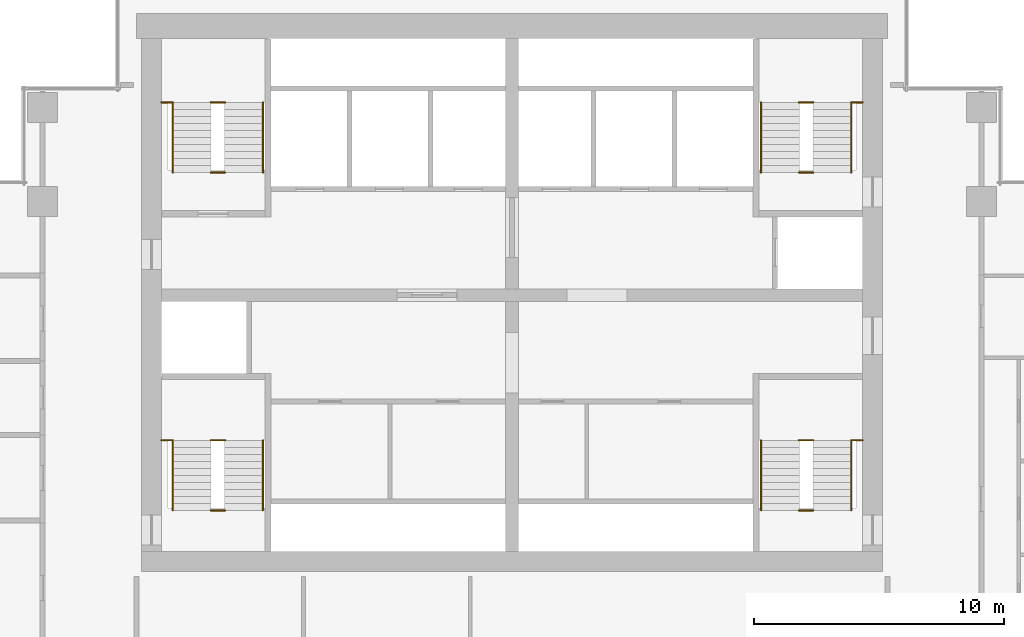
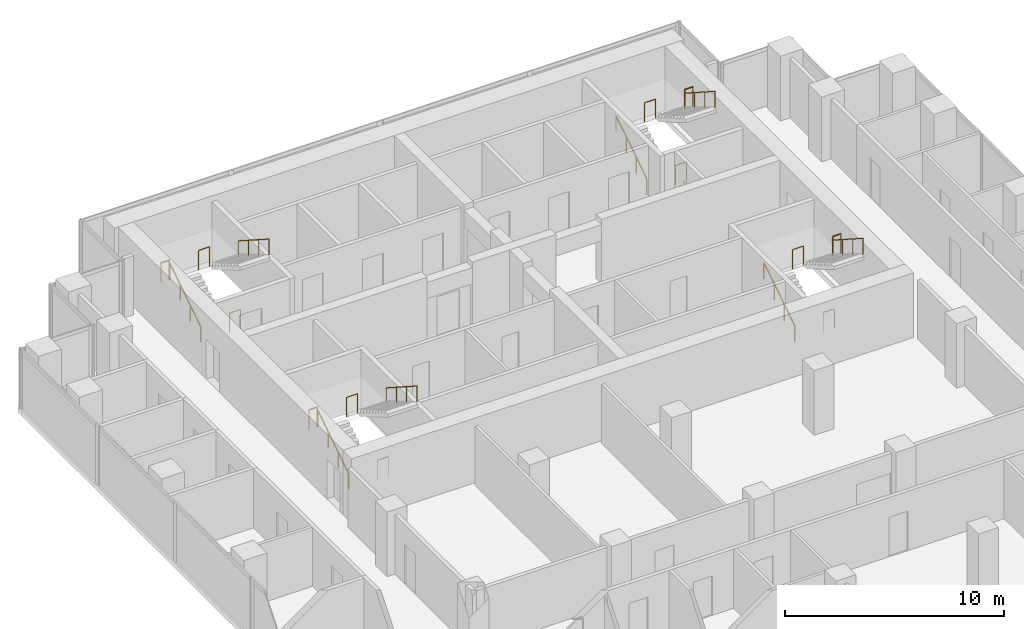
# One storey, part 11 of 11: 20 railings.
"""IFC4 building model written with IfcOpenShell, lengths in metres."""

from ifc_helpers import new_model, si_unit, direction, frame, origin, origin_2d, place, context, subcontext, project, spatial, circle, extrude, material, type_object, element, save


model = new_model("IFC4")

# Units and contexts
model_context = context("Model", 3, precision=1e-05, world=origin(), true_north=direction((0.0, 1.0)))
body_context = subcontext(model_context, "Body", "Model", "MODEL_VIEW")
ifc_project = project(units=[si_unit("LENGTHUNIT", "METRE"), si_unit("AREAUNIT", "SQUARE_METRE"), si_unit("VOLUMEUNIT", "CUBIC_METRE"), si_unit("PLANEANGLEUNIT", "RADIAN"), si_unit("MASSUNIT", "GRAM", prefix="KILO")], contexts=[model_context])

# Site, building, storey
site_placement = place(None, origin())
site = spatial("IfcSite", under=ifc_project, at=site_placement, CompositionType="ELEMENT")
building_placement = place(site_placement, origin())
building = spatial("IfcBuilding", under=site, at=building_placement, Name="Pilkhan Gate Tower", CompositionType="ELEMENT")
storey_placement = place(building_placement, frame((0.0, 0.0, 151.300048828125)))
storey = spatial("IfcBuildingStorey", under=building, at=storey_placement, Name="L38", CompositionType="ELEMENT", Elevation=151.300048828125)

# Railings
ifc_material_1 = material(Name="Black powder-coated steel tube", Category="steel")
railing_type_1 = type_object("IfcRailingType", Name="Stair handrail HR1", PredefinedType="HANDRAIL", material=ifc_material_1)
railing_1_placement = place(storey_placement, frame((84.949951171875, 73.89990234375, 0.0)))
element("IfcRailing", 1, at=railing_1_placement, inside=storey, type_object=railing_type_1, Name="Stair ST1 handrail L38", PredefinedType="HANDRAIL", context=body_context, shape_type="SweptSolid", body=[
    extrude(circle(Radius=0.02392578125, at=origin_2d()), frame((0.0, 0.0, 0.8759765625), z_axis=(0.0, 0.841176092368, 0.540761298198), x_axis=(-1.0, 0.0, 0.0)), (0.0, 0.0, 1.0), 3.32861328125),
    extrude(circle(Radius=0.02099609375, at=origin_2d()), origin(), (0.0, 0.0, 1.0), 0.851806640625),
    extrude(circle(Radius=0.02099609375, at=origin_2d()), frame((0.0, 0.933349609375, 0.60009765625)), (0.0, 0.0, 1.0), 0.851806640625),
    extrude(circle(Radius=0.02099609375, at=origin_2d()), frame((0.0, 1.86669921875, 1.199951171875)), (0.0, 0.0, 1.0), 0.851806640625),
    extrude(circle(Radius=0.02099609375, at=origin_2d()), frame((0.0, 2.800048828125, 1.800048828125)), (0.0, 0.0, 1.0), 0.851806640625),
])
railing_2_placement = place(storey_placement, frame((88.550048828125, 76.699951171875, 1.800048828125)))
element("IfcRailing", 2, at=railing_2_placement, inside=storey, type_object=railing_type_1, Name="Stair ST1 handrail L38", PredefinedType="HANDRAIL", context=body_context, shape_type="SweptSolid", body=[
    extrude(circle(Radius=0.02392578125, at=origin_2d()), frame((0.0, 0.0, 0.8759765625), z_axis=(0.0, -0.841209454229, 0.540709398952), x_axis=(1.0, 0.0, 0.0)), (0.0, 0.0, 1.0), 3.32861328125),
    extrude(circle(Radius=0.02099609375, at=origin_2d()), origin(), (0.0, 0.0, 1.0), 0.851806640625),
    extrude(circle(Radius=0.02099609375, at=origin_2d()), frame((0.0, -0.933349609375, 0.599853515625)), (0.0, 0.0, 1.0), 0.851806640625),
    extrude(circle(Radius=0.02099609375, at=origin_2d()), frame((0.0, -1.86669921875, 1.199951171875)), (0.0, 0.0, 1.0), 0.851806640625),
    extrude(circle(Radius=0.02099609375, at=origin_2d()), frame((0.0, -2.800048828125, 1.7998046875)), (0.0, 0.0, 1.0), 0.851806640625),
])
railing_3_placement = place(storey_placement, frame((61.449951171875, 73.89990234375, 0.0)))
element("IfcRailing", 3, at=railing_3_placement, inside=storey, type_object=railing_type_1, Name="Stair ST2 handrail L38", PredefinedType="HANDRAIL", context=body_context, shape_type="SweptSolid", body=[
    extrude(circle(Radius=0.02392578125, at=origin_2d()), frame((0.0, 0.0, 0.8759765625), z_axis=(0.0, 0.841176092368, 0.540761298198), x_axis=(-1.0, 0.0, 0.0)), (0.0, 0.0, 1.0), 3.32861328125),
    extrude(circle(Radius=0.02099609375, at=origin_2d()), origin(), (0.0, 0.0, 1.0), 0.851806640625),
    extrude(circle(Radius=0.02099609375, at=origin_2d()), frame((0.0, 0.933349609375, 0.60009765625)), (0.0, 0.0, 1.0), 0.851806640625),
    extrude(circle(Radius=0.02099609375, at=origin_2d()), frame((0.0, 1.86669921875, 1.199951171875)), (0.0, 0.0, 1.0), 0.851806640625),
    extrude(circle(Radius=0.02099609375, at=origin_2d()), frame((0.0, 2.800048828125, 1.800048828125)), (0.0, 0.0, 1.0), 0.851806640625),
])
railing_4_placement = place(storey_placement, frame((65.050048828125, 76.699951171875, 1.800048828125)))
element("IfcRailing", 4, at=railing_4_placement, inside=storey, type_object=railing_type_1, Name="Stair ST2 handrail L38", PredefinedType="HANDRAIL", context=body_context, shape_type="SweptSolid", body=[
    extrude(circle(Radius=0.02392578125, at=origin_2d()), frame((0.0, 0.0, 0.8759765625), z_axis=(0.0, -0.841209454229, 0.540709398952), x_axis=(1.0, 0.0, 0.0)), (0.0, 0.0, 1.0), 3.32861328125),
    extrude(circle(Radius=0.02099609375, at=origin_2d()), origin(), (0.0, 0.0, 1.0), 0.851806640625),
    extrude(circle(Radius=0.02099609375, at=origin_2d()), frame((0.0, -0.933349609375, 0.599853515625)), (0.0, 0.0, 1.0), 0.851806640625),
    extrude(circle(Radius=0.02099609375, at=origin_2d()), frame((0.0, -1.86669921875, 1.199951171875)), (0.0, 0.0, 1.0), 0.851806640625),
    extrude(circle(Radius=0.02099609375, at=origin_2d()), frame((0.0, -2.800048828125, 1.7998046875)), (0.0, 0.0, 1.0), 0.851806640625),
])
railing_5_placement = place(storey_placement, frame((61.449951171875, 87.39990234375, 0.0)))
element("IfcRailing", 5, at=railing_5_placement, inside=storey, type_object=railing_type_1, Name="Stair ST3 handrail L38", PredefinedType="HANDRAIL", context=body_context, shape_type="SweptSolid", body=[
    extrude(circle(Radius=0.02392578125, at=origin_2d()), frame((0.0, 0.0, 0.8759765625), z_axis=(0.0, 0.841176092368, 0.540761298198), x_axis=(-1.0, 0.0, 0.0)), (0.0, 0.0, 1.0), 3.32861328125),
    extrude(circle(Radius=0.02099609375, at=origin_2d()), origin(), (0.0, 0.0, 1.0), 0.851806640625),
    extrude(circle(Radius=0.02099609375, at=origin_2d()), frame((0.0, 0.933349609375, 0.60009765625)), (0.0, 0.0, 1.0), 0.851806640625),
    extrude(circle(Radius=0.02099609375, at=origin_2d()), frame((0.0, 1.86669921875, 1.199951171875)), (0.0, 0.0, 1.0), 0.851806640625),
    extrude(circle(Radius=0.02099609375, at=origin_2d()), frame((0.0, 2.800048828125, 1.800048828125)), (0.0, 0.0, 1.0), 0.851806640625),
])
railing_6_placement = place(storey_placement, frame((65.050048828125, 90.199951171875, 1.800048828125)))
element("IfcRailing", 6, at=railing_6_placement, inside=storey, type_object=railing_type_1, Name="Stair ST3 handrail L38", PredefinedType="HANDRAIL", context=body_context, shape_type="SweptSolid", body=[
    extrude(circle(Radius=0.02392578125, at=origin_2d()), frame((0.0, 0.0, 0.8759765625), z_axis=(0.0, -0.841209454229, 0.540709398952), x_axis=(1.0, 0.0, 0.0)), (0.0, 0.0, 1.0), 3.32861328125),
    extrude(circle(Radius=0.02099609375, at=origin_2d()), origin(), (0.0, 0.0, 1.0), 0.851806640625),
    extrude(circle(Radius=0.02099609375, at=origin_2d()), frame((0.0, -0.933349609375, 0.599853515625)), (0.0, 0.0, 1.0), 0.851806640625),
    extrude(circle(Radius=0.02099609375, at=origin_2d()), frame((0.0, -1.86669921875, 1.199951171875)), (0.0, 0.0, 1.0), 0.851806640625),
    extrude(circle(Radius=0.02099609375, at=origin_2d()), frame((0.0, -2.800048828125, 1.7998046875)), (0.0, 0.0, 1.0), 0.851806640625),
])
railing_7_placement = place(storey_placement, frame((84.949951171875, 87.39990234375, 0.0)))
element("IfcRailing", 7, at=railing_7_placement, inside=storey, type_object=railing_type_1, Name="Stair ST4 handrail L38", PredefinedType="HANDRAIL", context=body_context, shape_type="SweptSolid", body=[
    extrude(circle(Radius=0.02392578125, at=origin_2d()), frame((0.0, 0.0, 0.8759765625), z_axis=(0.0, 0.841176092368, 0.540761298198), x_axis=(-1.0, 0.0, 0.0)), (0.0, 0.0, 1.0), 3.32861328125),
    extrude(circle(Radius=0.02099609375, at=origin_2d()), origin(), (0.0, 0.0, 1.0), 0.851806640625),
    extrude(circle(Radius=0.02099609375, at=origin_2d()), frame((0.0, 0.933349609375, 0.60009765625)), (0.0, 0.0, 1.0), 0.851806640625),
    extrude(circle(Radius=0.02099609375, at=origin_2d()), frame((0.0, 1.86669921875, 1.199951171875)), (0.0, 0.0, 1.0), 0.851806640625),
    extrude(circle(Radius=0.02099609375, at=origin_2d()), frame((0.0, 2.800048828125, 1.800048828125)), (0.0, 0.0, 1.0), 0.851806640625),
])
railing_8_placement = place(storey_placement, frame((88.550048828125, 90.199951171875, 1.800048828125)))
element("IfcRailing", 8, at=railing_8_placement, inside=storey, type_object=railing_type_1, Name="Stair ST4 handrail L38", PredefinedType="HANDRAIL", context=body_context, shape_type="SweptSolid", body=[
    extrude(circle(Radius=0.02392578125, at=origin_2d()), frame((0.0, 0.0, 0.8759765625), z_axis=(0.0, -0.841209454229, 0.540709398952), x_axis=(1.0, 0.0, 0.0)), (0.0, 0.0, 1.0), 3.32861328125),
    extrude(circle(Radius=0.02099609375, at=origin_2d()), origin(), (0.0, 0.0, 1.0), 0.851806640625),
    extrude(circle(Radius=0.02099609375, at=origin_2d()), frame((0.0, -0.933349609375, 0.599853515625)), (0.0, 0.0, 1.0), 0.851806640625),
    extrude(circle(Radius=0.02099609375, at=origin_2d()), frame((0.0, -1.86669921875, 1.199951171875)), (0.0, 0.0, 1.0), 0.851806640625),
    extrude(circle(Radius=0.02099609375, at=origin_2d()), frame((0.0, -2.800048828125, 1.7998046875)), (0.0, 0.0, 1.0), 0.851806640625),
])
ifc_material_2 = material(Name="Black powder-coated steel balusters", Category="steel")
railing_type_2 = type_object("IfcRailingType", Name="Stair well guard G3", PredefinedType="GUARDRAIL", material=ifc_material_2)
railing_9_placement = place(storey_placement, frame((88.580078125, 76.699951171875, 1.800048828125)))
element("IfcRailing", 9, at=railing_9_placement, inside=storey, type_object=railing_type_2, Name="Stair ST1 well guard L38", PredefinedType="GUARDRAIL", context=body_context, shape_type="SweptSolid", body=[
    extrude(circle(Radius=0.02392578125, at=origin_2d()), frame((0.0, 0.0, 1.076171875), z_axis=(1.0, 0.0, 0.0), x_axis=(0.0, 1.0, 0.0)), (0.0, 0.0, 1.0), 0.43994140625),
    extrude(circle(Radius=0.02099609375, at=origin_2d()), origin(), (0.0, 0.0, 1.0), 1.052001953125),
    extrude(circle(Radius=0.02099609375, at=origin_2d()), frame((0.43994140625, 0.0, 0.0)), (0.0, 0.0, 1.0), 1.052001953125),
])
for number, where, name in (
    (10, (86.4599609375, 73.89990234375, 0.0), "Stair ST1 well guard L38"),
    (11, (86.4599609375, 76.699951171875, 1.800048828125), "Stair ST1 well guard L38"),
):
    element("IfcRailing", number, at=place(storey_placement, frame(where)), inside=storey, type_object=railing_type_2, Name=name, PredefinedType="GUARDRAIL", context=body_context, shape_type="SweptSolid", body=[
        extrude(circle(Radius=0.02392578125, at=origin_2d()), frame((0.0, 0.0, 1.076171875), z_axis=(1.0, 0.0, 0.0), x_axis=(0.0, 1.0, 0.0)), (0.0, 0.0, 1.0), 0.580078125),
        extrude(circle(Radius=0.02099609375, at=origin_2d()), origin(), (0.0, 0.0, 1.0), 1.052001953125),
        extrude(circle(Radius=0.02099609375, at=origin_2d()), frame((0.580078125, 0.0, 0.0)), (0.0, 0.0, 1.0), 1.052001953125),
    ])
railing_10_placement = place(storey_placement, frame((60.97998046875, 76.699951171875, 1.800048828125)))
element("IfcRailing", 12, at=railing_10_placement, inside=storey, type_object=railing_type_2, Name="Stair ST2 well guard L38", PredefinedType="GUARDRAIL", context=body_context, shape_type="SweptSolid", body=[
    extrude(circle(Radius=0.02392578125, at=origin_2d()), frame((0.0, 0.0, 1.076171875), z_axis=(1.0, 0.0, 0.0), x_axis=(0.0, 1.0, 0.0)), (0.0, 0.0, 1.0), 0.43994140625),
    extrude(circle(Radius=0.02099609375, at=origin_2d()), origin(), (0.0, 0.0, 1.0), 1.052001953125),
    extrude(circle(Radius=0.02099609375, at=origin_2d()), frame((0.43994140625, 0.0, 0.0)), (0.0, 0.0, 1.0), 1.052001953125),
])
for number, where, name in (
    (13, (62.9599609375, 73.89990234375, 0.0), "Stair ST2 well guard L38"),
    (14, (62.9599609375, 76.699951171875, 1.800048828125), "Stair ST2 well guard L38"),
):
    element("IfcRailing", number, at=place(storey_placement, frame(where)), inside=storey, type_object=railing_type_2, Name=name, PredefinedType="GUARDRAIL", context=body_context, shape_type="SweptSolid", body=[
        extrude(circle(Radius=0.02392578125, at=origin_2d()), frame((0.0, 0.0, 1.076171875), z_axis=(1.0, 0.0, 0.0), x_axis=(0.0, 1.0, 0.0)), (0.0, 0.0, 1.0), 0.580078125),
        extrude(circle(Radius=0.02099609375, at=origin_2d()), origin(), (0.0, 0.0, 1.0), 1.052001953125),
        extrude(circle(Radius=0.02099609375, at=origin_2d()), frame((0.580078125, 0.0, 0.0)), (0.0, 0.0, 1.0), 1.052001953125),
    ])
railing_11_placement = place(storey_placement, frame((60.97998046875, 90.199951171875, 1.800048828125)))
element("IfcRailing", 15, at=railing_11_placement, inside=storey, type_object=railing_type_2, Name="Stair ST3 well guard L38", PredefinedType="GUARDRAIL", context=body_context, shape_type="SweptSolid", body=[
    extrude(circle(Radius=0.02392578125, at=origin_2d()), frame((0.0, 0.0, 1.076171875), z_axis=(1.0, 0.0, 0.0), x_axis=(0.0, 1.0, 0.0)), (0.0, 0.0, 1.0), 0.43994140625),
    extrude(circle(Radius=0.02099609375, at=origin_2d()), origin(), (0.0, 0.0, 1.0), 1.052001953125),
    extrude(circle(Radius=0.02099609375, at=origin_2d()), frame((0.43994140625, 0.0, 0.0)), (0.0, 0.0, 1.0), 1.052001953125),
])
for number, where, name in (
    (16, (62.9599609375, 87.39990234375, 0.0), "Stair ST3 well guard L38"),
    (17, (62.9599609375, 90.199951171875, 1.800048828125), "Stair ST3 well guard L38"),
):
    element("IfcRailing", number, at=place(storey_placement, frame(where)), inside=storey, type_object=railing_type_2, Name=name, PredefinedType="GUARDRAIL", context=body_context, shape_type="SweptSolid", body=[
        extrude(circle(Radius=0.02392578125, at=origin_2d()), frame((0.0, 0.0, 1.076171875), z_axis=(1.0, 0.0, 0.0), x_axis=(0.0, 1.0, 0.0)), (0.0, 0.0, 1.0), 0.580078125),
        extrude(circle(Radius=0.02099609375, at=origin_2d()), origin(), (0.0, 0.0, 1.0), 1.052001953125),
        extrude(circle(Radius=0.02099609375, at=origin_2d()), frame((0.580078125, 0.0, 0.0)), (0.0, 0.0, 1.0), 1.052001953125),
    ])
railing_12_placement = place(storey_placement, frame((88.580078125, 90.199951171875, 1.800048828125)))
element("IfcRailing", 18, at=railing_12_placement, inside=storey, type_object=railing_type_2, Name="Stair ST4 well guard L38", PredefinedType="GUARDRAIL", context=body_context, shape_type="SweptSolid", body=[
    extrude(circle(Radius=0.02392578125, at=origin_2d()), frame((0.0, 0.0, 1.076171875), z_axis=(1.0, 0.0, 0.0), x_axis=(0.0, 1.0, 0.0)), (0.0, 0.0, 1.0), 0.43994140625),
    extrude(circle(Radius=0.02099609375, at=origin_2d()), origin(), (0.0, 0.0, 1.0), 1.052001953125),
    extrude(circle(Radius=0.02099609375, at=origin_2d()), frame((0.43994140625, 0.0, 0.0)), (0.0, 0.0, 1.0), 1.052001953125),
])
for number, where, name in (
    (19, (86.4599609375, 87.39990234375, 0.0), "Stair ST4 well guard L38"),
    (20, (86.4599609375, 90.199951171875, 1.800048828125), "Stair ST4 well guard L38"),
):
    element("IfcRailing", number, at=place(storey_placement, frame(where)), inside=storey, type_object=railing_type_2, Name=name, PredefinedType="GUARDRAIL", context=body_context, shape_type="SweptSolid", body=[
        extrude(circle(Radius=0.02392578125, at=origin_2d()), frame((0.0, 0.0, 1.076171875), z_axis=(1.0, 0.0, 0.0), x_axis=(0.0, 1.0, 0.0)), (0.0, 0.0, 1.0), 0.580078125),
        extrude(circle(Radius=0.02099609375, at=origin_2d()), origin(), (0.0, 0.0, 1.0), 1.052001953125),
        extrude(circle(Radius=0.02099609375, at=origin_2d()), frame((0.580078125, 0.0, 0.0)), (0.0, 0.0, 1.0), 1.052001953125),
    ])

save(model, "model.ifc")
